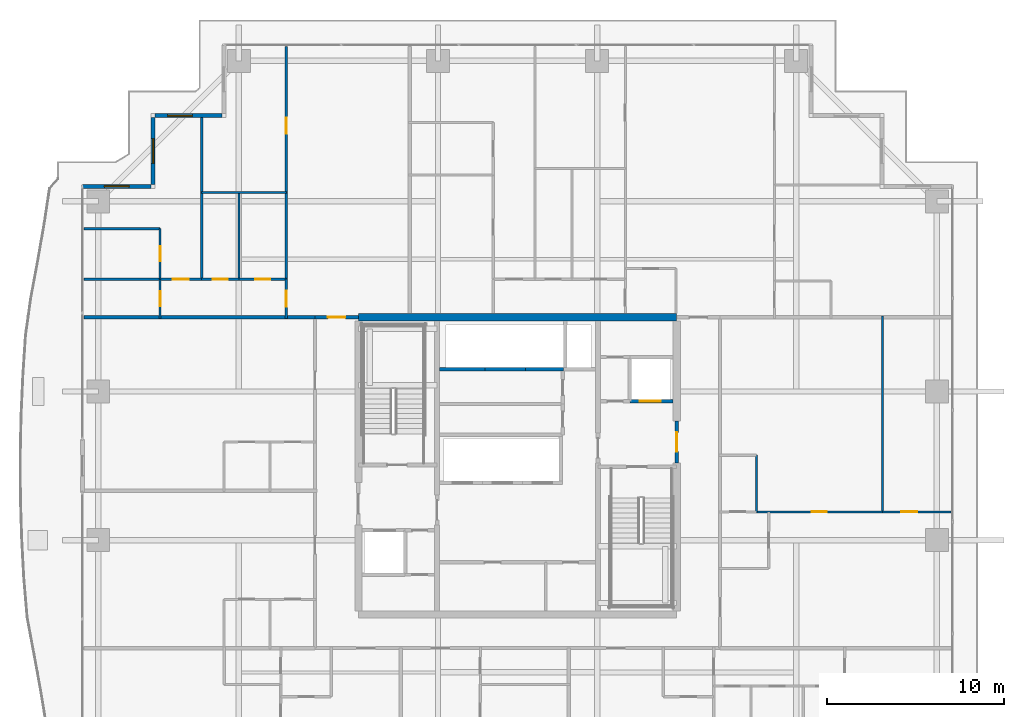
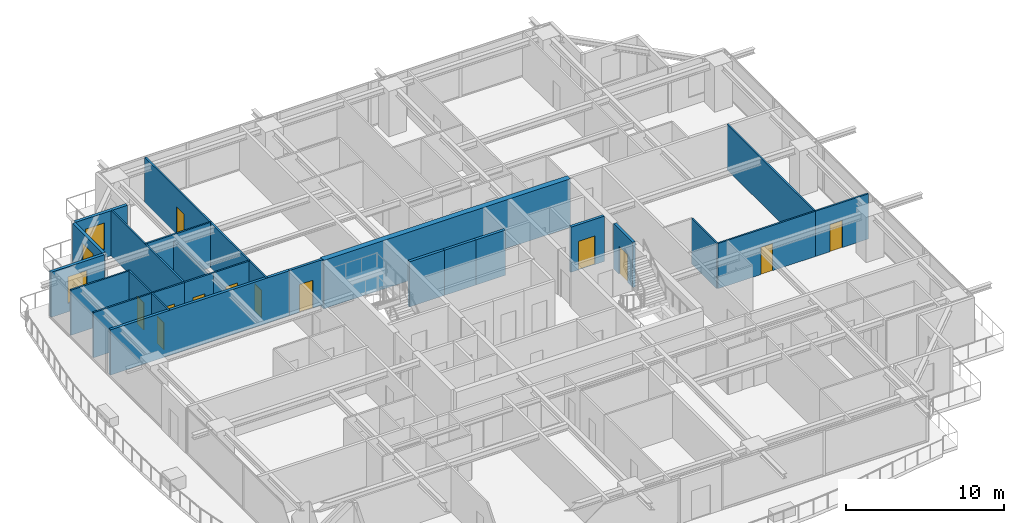
# One storey, part 27 of 35: 28 walls, 12 doors, 3 windows, 15 openings.
"""IFC4 building model written with IfcOpenShell, lengths in metres."""

from ifc_helpers import new_model, si_unit, direction, frame, frame_2d, origin, place, context, subcontext, project, spatial, rectangle, extrude, source, transform, mapped, material, layer, layer_set, type_object, element, fill, save


model = new_model("IFC4")

# Units and contexts
model_context = context("Model", 3, precision=1e-05, world=origin(), true_north=direction((0.0, 1.0)))
body_context = subcontext(model_context, "Body", "Model", "MODEL_VIEW")
ifc_project = project(units=[si_unit("LENGTHUNIT", "METRE"), si_unit("AREAUNIT", "SQUARE_METRE"), si_unit("VOLUMEUNIT", "CUBIC_METRE"), si_unit("PLANEANGLEUNIT", "RADIAN"), si_unit("MASSUNIT", "GRAM", prefix="KILO")], contexts=[model_context])

# Site, building, storey
site_placement = place(None, origin())
site = spatial("IfcSite", under=ifc_project, at=site_placement, CompositionType="ELEMENT")
building_placement = place(site_placement, origin())
building = spatial("IfcBuilding", under=site, at=building_placement, Name="Serunith Strait Residences", CompositionType="ELEMENT")
storey_placement = place(building_placement, frame((0.0, 0.0, 172.64990234375)))
storey = spatial("IfcBuildingStorey", under=building, at=storey_placement, Name="L43", CompositionType="ELEMENT", Elevation=172.64990234375)

# Wall, opening, window
ifc_material_1 = material(Name="Pale-Champagne Aluminium Insulated Panel", Category="aluminium")
ifc_layer_1 = layer(ifc_material_1, 0.219970703125, Name="Pale-Champagne Aluminium Insulated Panel")
ifc_layer_set_1 = layer_set([ifc_layer_1], Name="Pale-Champagne Aluminium Insulated Panel")
wall_type_1 = type_object("IfcWallType", Name="EW-ALUM-220", PredefinedType="ELEMENTEDWALL", material=ifc_layer_set_1)
wall_1_placement = place(storey_placement, frame((15.68994140625, 45.0, 0.0), z_axis=(0.0, 0.0, 1.0), x_axis=(-1.0, 0.0, 0.0)))
wall_1 = element("IfcWall", 1, at=wall_1_placement, inside=storey, type_object=wall_type_1, Name="L43 Girih Serrated Corner Wall 13", PredefinedType="ELEMENTEDWALL", context=body_context, shape_type="SweptSolid", body=[
    extrude(rectangle(XDim=3.780029296875, YDim=0.219970703125, at=frame_2d((1.89013671875, 0.0))), origin(), (0.0, 0.0, 1.0), 3.47509765625),
])
opening_1_placement = place(wall_1_placement, frame((1.666015625, 0.0, 0.64990234375)))
opening_1 = element("IfcOpeningElement", 2, at=opening_1_placement, cuts=wall_1, Name="Opening W-03", PredefinedType="OPENING", context=body_context, shape_type="SweptSolid", body=[
    extrude(rectangle(XDim=1.39990234375, YDim=2.050048828125, at=frame_2d((0.699951171875, 1.02490234375))), frame((0.0, 0.1201171875, 0.0), z_axis=(0.0, -1.0, 0.0), x_axis=(1.0, 0.0, 0.0)), (0.0, 0.0, 1.0), 0.239990234375),
])
ifc_material_2 = material(Name="Ceramic-Fritted Operable Aluminium Window Glass", Category="aluminium")
window_type = type_object("IfcWindowType", Name="WIN-C3", PartitioningType="SINGLE_PANEL", PredefinedType="WINDOW", material=ifc_material_2)
shared_shape_1 = source(origin(), body_context, "Body", "SweptSolid", [
    extrude(rectangle(XDim=1.39990234375, YDim=2.050048828125, at=frame_2d((0.699951171875, 1.02490234375))), frame((0.0, 0.030029296875, 0.0), z_axis=(0.0, -1.0, 0.0), x_axis=(1.0, 0.0, 0.0)), (0.0, 0.0, 1.0), 0.06005859375),
])
window_1_placement = place(opening_1_placement, origin())
window_1 = element("IfcWindow", 3, at=window_1_placement, inside=storey, type_object=window_type, Name="L43 Corner Operable Fritted Window 13", OverallHeight=2.050048828125, OverallWidth=1.39990234375, PartitioningType="SINGLE_PANEL", PredefinedType="WINDOW", context=body_context, shape_type="MappedRepresentation", body=[
    mapped(shared_shape_1, transform((0.0, 0.0, 0.0), scale=1.0)),
])
fill(opening_1, window_1)

wall_2_placement = place(storey_placement, frame((11.800048828125, 44.889892578125, 0.0), z_axis=(0.0, 0.0, 1.0), x_axis=(0.0, -1.0, 0.0)))
wall_2 = element("IfcWall", 4, at=wall_2_placement, inside=storey, type_object=wall_type_1, Name="L43 Girih Serrated Corner Wall 14", PredefinedType="ELEMENTEDWALL", context=body_context, shape_type="SweptSolid", body=[
    extrude(rectangle(XDim=3.77978515625, YDim=0.219970703125, at=frame_2d((1.889892578125, 0.0))), origin(), (0.0, 0.0, 1.0), 3.47509765625),
])
opening_2_placement = place(wall_2_placement, frame((1.18994140625, 0.0, 0.64990234375)))
opening_2 = element("IfcOpeningElement", 5, at=opening_2_placement, cuts=wall_2, Name="Opening W-03", PredefinedType="OPENING", context=body_context, shape_type="SweptSolid", body=[
    extrude(rectangle(XDim=1.39990234375, YDim=2.050048828125, at=frame_2d((0.699951171875, 1.02490234375))), frame((0.0, 0.1201171875, 0.0), z_axis=(0.0, -1.0, 0.0), x_axis=(1.0, 0.0, 0.0)), (0.0, 0.0, 1.0), 0.239990234375),
])
window_2_placement = place(opening_2_placement, origin())
window_2 = element("IfcWindow", 6, at=window_2_placement, inside=storey, type_object=window_type, Name="L43 Corner Operable Fritted Window 14", OverallHeight=2.050048828125, OverallWidth=1.39990234375, PartitioningType="SINGLE_PANEL", PredefinedType="WINDOW", context=body_context, shape_type="MappedRepresentation", body=[
    mapped(shared_shape_1, transform((0.0, 0.0, 0.0), scale=1.0)),
])
fill(opening_2, window_2)

wall_3_placement = place(storey_placement, frame((11.68994140625, 41.0, 0.0), z_axis=(0.0, 0.0, 1.0), x_axis=(-1.0, 0.0, 0.0)))
wall_3 = element("IfcWall", 7, at=wall_3_placement, inside=storey, type_object=wall_type_1, Name="L43 Girih Serrated Corner Wall 15", PredefinedType="ELEMENTEDWALL", context=body_context, shape_type="SweptSolid", body=[
    extrude(rectangle(XDim=3.889892578125, YDim=0.219970703125, at=frame_2d((1.94482421875, 0.0))), origin(), (0.0, 0.0, 1.0), 3.47509765625),
])
opening_3_placement = place(wall_3_placement, frame((1.2451171875, 0.0, 0.64990234375)))
opening_3 = element("IfcOpeningElement", 8, at=opening_3_placement, cuts=wall_3, Name="Opening W-03", PredefinedType="OPENING", context=body_context, shape_type="SweptSolid", body=[
    extrude(rectangle(XDim=1.39990234375, YDim=2.050048828125, at=frame_2d((0.699951171875, 1.02490234375))), frame((0.0, 0.1201171875, 0.0), z_axis=(0.0, -1.0, 0.0), x_axis=(1.0, 0.0, 0.0)), (0.0, 0.0, 1.0), 0.239990234375),
])
window_3_placement = place(opening_3_placement, origin())
window_3 = element("IfcWindow", 9, at=window_3_placement, inside=storey, type_object=window_type, Name="L43 Corner Operable Fritted Window 15", OverallHeight=2.050048828125, OverallWidth=1.39990234375, PartitioningType="SINGLE_PANEL", PredefinedType="WINDOW", context=body_context, shape_type="MappedRepresentation", body=[
    mapped(shared_shape_1, transform((0.0, 0.0, 0.0), scale=1.0)),
])
fill(opening_3, window_3)

# Wall, opening, door
ifc_material_3 = material(Name="Fire-rated acoustic gypsum partition")
ifc_layer_2 = layer(ifc_material_3, 0.179931640625, Name="Fire-rated acoustic gypsum partition")
ifc_layer_set_2 = layer_set([ifc_layer_2], Name="Fire-rated acoustic gypsum partition")
wall_type_2 = type_object("IfcWallType", Name="IW-CORR-180", PredefinedType="PARTITIONING", material=ifc_layer_set_2)
wall_4_placement = place(storey_placement, frame((20.951904296875, 33.60009765625, 0.0), z_axis=(0.0, 0.0, 1.0), x_axis=(1.0, 0.0, 0.0)))
wall_4 = element("IfcWall", 10, at=wall_4_placement, inside=storey, type_object=wall_type_2, Name="L43 Partition Wall 031", PredefinedType="PARTITIONING", context=body_context, shape_type="SweptSolid", body=[
    extrude(rectangle(XDim=2.446044921875, YDim=0.179931640625, at=frame_2d((1.22314453125, 0.0))), origin(), (0.0, 0.0, 1.0), 3.489990234375),
])
opening_4_placement = place(wall_4_placement, frame((0.722900390625, 0.0, 0.0)))
opening_4 = element("IfcOpeningElement", 11, at=opening_4_placement, cuts=wall_4, Name="Opening D-APT1000", PredefinedType="OPENING", context=body_context, shape_type="SweptSolid", body=[
    extrude(rectangle(XDim=1.0, YDim=2.14990234375, at=frame_2d((0.5, 1.074951171875))), frame((0.0, 0.10009765625, 0.0), z_axis=(0.0, -1.0, 0.0), x_axis=(1.0, 0.0, 0.0)), (0.0, 0.0, 1.0), 0.199951171875),
])
ifc_material_4 = material(Name="Solid timber engineered fire door", Category="wood")
door_type_1 = type_object("IfcDoorType", Name="ID-APT-1000", OperationType="NOTDEFINED", PredefinedType="DOOR", material=ifc_material_4)
shared_shape_2 = source(origin(), body_context, "Body", "SweptSolid", [
    extrude(rectangle(XDim=1.0, YDim=2.14990234375, at=frame_2d((0.5, 1.074951171875))), frame((0.0, 0.02490234375, 0.0), z_axis=(0.0, -1.0, 0.0), x_axis=(1.0, 0.0, 0.0)), (0.0, 0.0, 1.0), 0.050048828125),
])
door_1_placement = place(opening_4_placement, origin())
door_1 = element("IfcDoor", 12, at=door_1_placement, inside=storey, type_object=door_type_1, Name="L43 Unit 04 Entrance Door", OperationType="SINGLE_SWING_LEFT", OverallHeight=2.14990234375, OverallWidth=1.0, PredefinedType="DOOR", context=body_context, shape_type="MappedRepresentation", body=[
    mapped(shared_shape_2, transform((0.0, 0.0, 0.0), scale=1.0)),
])
fill(opening_4, door_1)

ifc_material_5 = material(Name="Lightweight steel-stud gypsum partition", Category="steel")
ifc_layer_3 = layer(ifc_material_5, 0.1201171875, Name="Lightweight steel-stud gypsum partition")
ifc_layer_set_3 = layer_set([ifc_layer_3], Name="Lightweight steel-stud gypsum partition")
wall_type_3 = type_object("IfcWallType", Name="IW-PART-120", PredefinedType="PARTITIONING", material=ifc_layer_set_3)
wall_5_placement = place(storey_placement, frame((19.330078125, 35.75, 0.0), z_axis=(0.0, 0.0, 1.0), x_axis=(0.0, -1.0, 0.0)))
wall_5 = element("IfcWall", 13, at=wall_5_placement, inside=storey, type_object=wall_type_3, Name="L43 Partition Wall 062", PredefinedType="PARTITIONING", context=body_context, shape_type="SweptSolid", body=[
    extrude(rectangle(XDim=2.2099609375, YDim=0.1201171875, at=frame_2d((1.10498046875, 0.0))), origin(), (0.0, 0.0, 1.0), 3.489990234375),
])
opening_5_placement = place(wall_5_placement, frame((0.655029296875, 0.0, 0.0)))
opening_5 = element("IfcOpeningElement", 14, at=opening_5_placement, cuts=wall_5, Name="Opening D-RM900", PredefinedType="OPENING", context=body_context, shape_type="SweptSolid", body=[
    extrude(rectangle(XDim=0.89990234375, YDim=2.10009765625, at=frame_2d((0.449951171875, 1.050048828125))), frame((0.0, 0.070068359375, 0.0), z_axis=(0.0, -1.0, 0.0), x_axis=(1.0, 0.0, 0.0)), (0.0, 0.0, 1.0), 0.14013671875),
])
ifc_material_6 = material(Name="Engineered timber flush bedroom door", Category="wood")
door_type_2 = type_object("IfcDoorType", Name="ID-ROOM-900", OperationType="NOTDEFINED", PredefinedType="DOOR", material=ifc_material_6)
shared_shape_3 = source(origin(), body_context, "Body", "SweptSolid", [
    extrude(rectangle(XDim=0.89990234375, YDim=2.10009765625, at=frame_2d((0.449951171875, 1.050048828125))), frame((0.0, 0.02490234375, 0.0), z_axis=(0.0, -1.0, 0.0), x_axis=(1.0, 0.0, 0.0)), (0.0, 0.0, 1.0), 0.050048828125),
])
door_2_placement = place(opening_5_placement, origin())
door_2 = element("IfcDoor", 15, at=door_2_placement, inside=storey, type_object=door_type_2, Name="L43 Hall W 4304 Door", OperationType="SINGLE_SWING_RIGHT", OverallHeight=2.10009765625, OverallWidth=0.89990234375, PredefinedType="DOOR", context=body_context, shape_type="MappedRepresentation", body=[
    mapped(shared_shape_3, transform((0.0, 0.0, 0.0), scale=1.0)),
])
fill(opening_5, door_2)

wall_6_placement = place(storey_placement, frame((19.330078125, 48.905029296875, 0.0), z_axis=(0.0, 0.0, 1.0), x_axis=(0.0, -1.0, 0.0)))
wall_6 = element("IfcWall", 16, at=wall_6_placement, inside=storey, type_object=wall_type_3, Name="L43 Partition Wall 063", PredefinedType="PARTITIONING", context=body_context, shape_type="SweptSolid", body=[
    extrude(rectangle(XDim=8.242919921875, YDim=0.1201171875, at=frame_2d((4.12158203125, 0.0))), origin(), (0.0, 0.0, 1.0), 3.489990234375),
])
opening_6_placement = place(wall_6_placement, frame((4.0390625, 0.0, 0.0)))
opening_6 = element("IfcOpeningElement", 17, at=opening_6_placement, cuts=wall_6, Name="Opening D-RM900", PredefinedType="OPENING", context=body_context, shape_type="SweptSolid", body=[
    extrude(rectangle(XDim=0.89990234375, YDim=2.10009765625, at=frame_2d((0.449951171875, 1.050048828125))), frame((0.0, 0.070068359375, 0.0), z_axis=(0.0, -1.0, 0.0), x_axis=(1.0, 0.0, 0.0)), (0.0, 0.0, 1.0), 0.14013671875),
])
door_3_placement = place(opening_6_placement, origin())
door_3 = element("IfcDoor", 18, at=door_3_placement, inside=storey, type_object=door_type_2, Name="L43 Formal Dining Room 1 4304 Door", OperationType="SINGLE_SWING_LEFT", OverallHeight=2.10009765625, OverallWidth=0.89990234375, PredefinedType="DOOR", context=body_context, shape_type="MappedRepresentation", body=[
    mapped(shared_shape_3, transform((0.0, 0.0, 0.0), scale=1.0)),
])
fill(opening_6, door_3)

# Walls
wall_7_placement = place(storey_placement, frame((19.330078125, 40.659912109375, 0.0), z_axis=(0.0, 0.0, 1.0), x_axis=(0.0, -1.0, 0.0)))
element("IfcWall", 19, at=wall_7_placement, inside=storey, type_object=wall_type_3, Name="L43 Partition Wall 064", PredefinedType="PARTITIONING", context=body_context, shape_type="SweptSolid", body=[
    extrude(rectangle(XDim=4.907958984375, YDim=0.1201171875, at=frame_2d((2.4541015625, 0.0))), origin(), (0.0, 0.0, 1.0), 3.489990234375),
])
wall_8_placement = place(storey_placement, frame((14.550048828125, 40.662109375, 0.0), z_axis=(0.0, 0.0, 1.0), x_axis=(1.0, 0.0, 0.0)))
element("IfcWall", 20, at=wall_8_placement, inside=storey, type_object=wall_type_3, Name="L43 Partition Wall 065", PredefinedType="PARTITIONING", context=body_context, shape_type="SweptSolid", body=[
    extrude(rectangle(XDim=4.780029296875, YDim=0.1201171875, at=frame_2d((2.39013671875, 0.0))), origin(), (0.0, 0.0, 1.0), 3.489990234375),
])
wall_9_placement = place(storey_placement, frame((14.550048828125, 44.905029296875, 0.0), z_axis=(0.0, 0.0, 1.0), x_axis=(0.0, -1.0, 0.0)))
element("IfcWall", 21, at=wall_9_placement, inside=storey, type_object=wall_type_3, Name="L43 Partition Wall 066", PredefinedType="PARTITIONING", context=body_context, shape_type="SweptSolid", body=[
    extrude(rectangle(XDim=9.155029296875, YDim=0.1201171875, at=frame_2d((4.57763671875, 0.0))), origin(), (0.0, 0.0, 1.0), 3.489990234375),
])
wall_10_placement = place(storey_placement, frame((16.64990234375, 40.662109375, 0.0), z_axis=(0.0, 0.0, 1.0), x_axis=(0.0, -1.0, 0.0)))
element("IfcWall", 22, at=wall_10_placement, inside=storey, type_object=wall_type_3, Name="L43 Partition Wall 067", PredefinedType="PARTITIONING", context=body_context, shape_type="SweptSolid", body=[
    extrude(rectangle(XDim=4.912109375, YDim=0.1201171875, at=frame_2d((2.4560546875, 0.0))), origin(), (0.0, 0.0, 1.0), 2.97216796875),
])

# Wall, opening, door
wall_11_placement = place(storey_placement, frame((14.550048828125, 35.75, 0.0), z_axis=(0.0, 0.0, 1.0), x_axis=(1.0, 0.0, 0.0)))
wall_11 = element("IfcWall", 23, at=wall_11_placement, inside=storey, type_object=wall_type_3, Name="L43 Partition Wall 068", PredefinedType="PARTITIONING", context=body_context, shape_type="SweptSolid", body=[
    extrude(rectangle(XDim=2.099853515625, YDim=0.1201171875, at=frame_2d((1.0498046875, 0.0))), origin(), (0.0, 0.0, 1.0), 3.489990234375),
])
opening_7_placement = place(wall_11_placement, frame((0.625, 0.0, 0.0)))
opening_7 = element("IfcOpeningElement", 24, at=opening_7_placement, cuts=wall_11, Name="Opening D-BTH850", PredefinedType="OPENING", context=body_context, shape_type="SweptSolid", body=[
    extrude(rectangle(XDim=0.85009765625, YDim=2.10009765625, at=frame_2d((0.425048828125, 1.050048828125))), frame((0.0, 0.070068359375, 0.0), z_axis=(0.0, -1.0, 0.0), x_axis=(1.0, 0.0, 0.0)), (0.0, 0.0, 1.0), 0.14013671875),
])
ifc_material_7 = material(Name="Moisture-resistant timber bathroom door", Category="wood")
door_type_3 = type_object("IfcDoorType", Name="ID-BATH-850", OperationType="NOTDEFINED", PredefinedType="DOOR", material=ifc_material_7)
shared_shape_4 = source(origin(), body_context, "Body", "SweptSolid", [
    extrude(rectangle(XDim=0.85009765625, YDim=2.10009765625, at=frame_2d((0.425048828125, 1.050048828125))), frame((0.0, 0.02490234375, 0.0), z_axis=(0.0, -1.0, 0.0), x_axis=(1.0, 0.0, 0.0)), (0.0, 0.0, 1.0), 0.050048828125),
])
door_4_placement = place(opening_7_placement, origin())
door_4 = element("IfcDoor", 25, at=door_4_placement, inside=storey, type_object=door_type_3, Name="L43 Bathroom 4304 Door", OperationType="SINGLE_SWING_RIGHT", OverallHeight=2.10009765625, OverallWidth=0.85009765625, PredefinedType="DOOR", context=body_context, shape_type="MappedRepresentation", body=[
    mapped(shared_shape_4, transform((0.0, 0.0, 0.0), scale=1.0)),
])
fill(opening_7, door_4)

wall_12_placement = place(storey_placement, frame((16.652099609375, 35.75, 0.0), z_axis=(0.0, 0.0, 1.0), x_axis=(1.0, 0.0, 0.0)))
wall_12 = element("IfcWall", 26, at=wall_12_placement, inside=storey, type_object=wall_type_3, Name="L43 Partition Wall 069", PredefinedType="PARTITIONING", context=body_context, shape_type="SweptSolid", body=[
    extrude(rectangle(XDim=2.677978515625, YDim=0.1201171875, at=frame_2d((1.3388671875, 0.0))), origin(), (0.0, 0.0, 1.0), 3.489990234375),
])
opening_8_placement = place(wall_12_placement, frame((0.9140625, 0.0, 0.0)))
opening_8 = element("IfcOpeningElement", 27, at=opening_8_placement, cuts=wall_12, Name="Opening D-RM850", PredefinedType="OPENING", context=body_context, shape_type="SweptSolid", body=[
    extrude(rectangle(XDim=0.85009765625, YDim=2.10009765625, at=frame_2d((0.425048828125, 1.050048828125))), frame((0.0, 0.070068359375, 0.0), z_axis=(0.0, -1.0, 0.0), x_axis=(1.0, 0.0, 0.0)), (0.0, 0.0, 1.0), 0.14013671875),
])
ifc_material_8 = material(Name="Engineered timber flush study and kitchen door", Category="wood")
door_type_4 = type_object("IfcDoorType", Name="ID-ROOM-850", OperationType="NOTDEFINED", PredefinedType="DOOR", material=ifc_material_8)
door_5_placement = place(opening_8_placement, origin())
door_5 = element("IfcDoor", 28, at=door_5_placement, inside=storey, type_object=door_type_4, Name="L43 Kitchen 4304 Door", OperationType="SINGLE_SWING_LEFT", OverallHeight=2.10009765625, OverallWidth=0.85009765625, PredefinedType="DOOR", context=body_context, shape_type="MappedRepresentation", body=[
    mapped(shared_shape_4, transform((0.0, 0.0, 0.0), scale=1.0)),
])
fill(opening_8, door_5)

wall_13_placement = place(storey_placement, frame((12.199951171875, 35.75, 0.0), z_axis=(0.0, 0.0, 1.0), x_axis=(1.0, 0.0, 0.0)))
wall_13 = element("IfcWall", 29, at=wall_13_placement, inside=storey, type_object=wall_type_3, Name="L43 Partition Wall 070", PredefinedType="PARTITIONING", context=body_context, shape_type="SweptSolid", body=[
    extrude(rectangle(XDim=2.34814453125, YDim=0.1201171875, at=frame_2d((1.174072265625, 0.0))), origin(), (0.0, 0.0, 1.0), 3.489990234375),
])
opening_9_placement = place(wall_13_placement, frame((0.72412109375, 0.0, 0.0)))
opening_9 = element("IfcOpeningElement", 30, at=opening_9_placement, cuts=wall_13, Name="Opening D-RM900", PredefinedType="OPENING", context=body_context, shape_type="SweptSolid", body=[
    extrude(rectangle(XDim=0.89990234375, YDim=2.10009765625, at=frame_2d((0.449951171875, 1.050048828125))), frame((0.0, 0.070068359375, 0.0), z_axis=(0.0, -1.0, 0.0), x_axis=(1.0, 0.0, 0.0)), (0.0, 0.0, 1.0), 0.14013671875),
])
door_6_placement = place(opening_9_placement, origin())
door_6 = element("IfcDoor", 31, at=door_6_placement, inside=storey, type_object=door_type_2, Name="L43 Master Bedroom W 4304 Door", OperationType="SINGLE_SWING_RIGHT", OverallHeight=2.10009765625, OverallWidth=0.89990234375, PredefinedType="DOOR", context=body_context, shape_type="MappedRepresentation", body=[
    mapped(shared_shape_3, transform((0.0, 0.0, 0.0), scale=1.0)),
])
fill(opening_9, door_6)

# Walls
wall_14_placement = place(storey_placement, frame((7.89501953125, 38.60693359375, 0.0), z_axis=(0.0, 0.0, 1.0), x_axis=(1.0, 0.0, 0.0)))
element("IfcWall", 32, at=wall_14_placement, inside=storey, type_object=wall_type_3, Name="L43 Partition Wall 071", PredefinedType="PARTITIONING", context=body_context, shape_type="SweptSolid", body=[
    extrude(rectangle(XDim=4.304931640625, YDim=0.1201171875, at=frame_2d((2.15234375, 0.0))), origin(), (0.0, 0.0, 1.0), 3.489990234375),
])
wall_15_placement = place(storey_placement, frame((7.89501953125, 35.75, 0.0), z_axis=(0.0, 0.0, 1.0), x_axis=(1.0, 0.0, 0.0)))
element("IfcWall", 33, at=wall_15_placement, inside=storey, type_object=wall_type_3, Name="L43 Partition Wall 072", PredefinedType="PARTITIONING", context=body_context, shape_type="SweptSolid", body=[
    extrude(rectangle(XDim=4.302978515625, YDim=0.1201171875, at=frame_2d((2.1513671875, 0.0))), origin(), (0.0, 0.0, 1.0), 3.489990234375),
])

# Wall, opening, door
wall_16_placement = place(storey_placement, frame((12.199951171875, 38.60693359375, 0.0), z_axis=(0.0, 0.0, 1.0), x_axis=(0.0, -1.0, 0.0)))
wall_16 = element("IfcWall", 34, at=wall_16_placement, inside=storey, type_object=wall_type_3, Name="L43 Partition Wall 073", PredefinedType="PARTITIONING", context=body_context, shape_type="SweptSolid", body=[
    extrude(rectangle(XDim=2.85693359375, YDim=0.1201171875, at=frame_2d((1.428466796875, 0.0))), origin(), (0.0, 0.0, 1.0), 3.489990234375),
])
opening_10_placement = place(wall_16_placement, frame((1.0029296875, 0.0, 0.0)))
opening_10 = element("IfcOpeningElement", 35, at=opening_10_placement, cuts=wall_16, Name="Opening D-BTH850", PredefinedType="OPENING", context=body_context, shape_type="SweptSolid", body=[
    extrude(rectangle(XDim=0.85009765625, YDim=2.10009765625, at=frame_2d((0.425048828125, 1.050048828125))), frame((0.0, 0.070068359375, 0.0), z_axis=(0.0, -1.0, 0.0), x_axis=(1.0, 0.0, 0.0)), (0.0, 0.0, 1.0), 0.14013671875),
])
door_7_placement = place(opening_10_placement, origin())
door_7 = element("IfcDoor", 36, at=door_7_placement, inside=storey, type_object=door_type_3, Name="L43 En-suite Bathroom W 4304 Door", OperationType="SINGLE_SWING_LEFT", OverallHeight=2.10009765625, OverallWidth=0.85009765625, PredefinedType="DOOR", context=body_context, shape_type="MappedRepresentation", body=[
    mapped(shared_shape_4, transform((0.0, 0.0, 0.0), scale=1.0)),
])
fill(opening_10, door_7)

wall_17_placement = place(storey_placement, frame((12.199951171875, 35.748046875, 0.0), z_axis=(0.0, 0.0, 1.0), x_axis=(0.0, -1.0, 0.0)))
wall_17 = element("IfcWall", 37, at=wall_17_placement, inside=storey, type_object=wall_type_3, Name="L43 Partition Wall 074", PredefinedType="PARTITIONING", context=body_context, shape_type="SweptSolid", body=[
    extrude(rectangle(XDim=2.2080078125, YDim=0.1201171875, at=frame_2d((1.10400390625, 0.0))), origin(), (0.0, 0.0, 1.0), 3.489990234375),
])
opening_11_placement = place(wall_17_placement, frame((0.678955078125, 0.0, 0.0)))
opening_11 = element("IfcOpeningElement", 38, at=opening_11_placement, cuts=wall_17, Name="Opening D-RM850", PredefinedType="OPENING", context=body_context, shape_type="SweptSolid", body=[
    extrude(rectangle(XDim=0.85009765625, YDim=2.10009765625, at=frame_2d((0.425048828125, 1.050048828125))), frame((0.0, 0.070068359375, 0.0), z_axis=(0.0, -1.0, 0.0), x_axis=(1.0, 0.0, 0.0)), (0.0, 0.0, 1.0), 0.14013671875),
])
door_8_placement = place(opening_11_placement, origin())
door_8 = element("IfcDoor", 39, at=door_8_placement, inside=storey, type_object=door_type_4, Name="L43 Wardrobe W 4304 Door", OperationType="SINGLE_SWING_RIGHT", OverallHeight=2.10009765625, OverallWidth=0.85009765625, PredefinedType="DOOR", context=body_context, shape_type="MappedRepresentation", body=[
    mapped(shared_shape_4, transform((0.0, 0.0, 0.0), scale=1.0)),
])
fill(opening_11, door_8)

wall_18_placement = place(storey_placement, frame((56.905029296875, 22.60009765625, 0.0), z_axis=(0.0, 0.0, 1.0), x_axis=(-1.0, 0.0, 0.0)))
wall_18 = element("IfcWall", 40, at=wall_18_placement, inside=storey, type_object=wall_type_3, Name="L43 Partition Wall 107", PredefinedType="PARTITIONING", context=body_context, shape_type="SweptSolid", body=[
    extrude(rectangle(XDim=3.879150390625, YDim=0.1201171875, at=frame_2d((1.939453125, 0.0))), origin(), (0.0, 0.0, 1.0), 3.489990234375),
])
opening_12_placement = place(wall_18_placement, frame((1.91796875, 0.0, 0.0)))
opening_12 = element("IfcOpeningElement", 41, at=opening_12_placement, cuts=wall_18, Name="Opening D-RM900", PredefinedType="OPENING", context=body_context, shape_type="SweptSolid", body=[
    extrude(rectangle(XDim=0.89990234375, YDim=2.10009765625, at=frame_2d((0.449951171875, 1.050048828125))), frame((0.0, 0.070068359375, 0.0), z_axis=(0.0, -1.0, 0.0), x_axis=(1.0, 0.0, 0.0)), (0.0, 0.0, 1.0), 0.14013671875),
])
door_9_placement = place(opening_12_placement, origin())
door_9 = element("IfcDoor", 42, at=door_9_placement, inside=storey, type_object=door_type_2, Name="L43 Master Bedroom 1 4308 Door", OperationType="SINGLE_SWING_LEFT", OverallHeight=2.10009765625, OverallWidth=0.89990234375, PredefinedType="DOOR", context=body_context, shape_type="MappedRepresentation", body=[
    mapped(shared_shape_3, transform((0.0, 0.0, 0.0), scale=1.0)),
])
fill(opening_12, door_9)

# Walls
wall_19_placement = place(storey_placement, frame((53.02587890625, 22.60009765625, 0.0), z_axis=(0.0, 0.0, 1.0), x_axis=(0.0, 1.0, 0.0)))
element("IfcWall", 43, at=wall_19_placement, inside=storey, type_object=wall_type_3, Name="L43 Partition Wall 108", PredefinedType="PARTITIONING", context=body_context, shape_type="SweptSolid", body=[
    extrude(rectangle(XDim=11.059814453125, YDim=0.1201171875, at=frame_2d((5.52978515625, 0.0))), origin(), (0.0, 0.0, 1.0), 3.489990234375),
])
wall_20_placement = place(storey_placement, frame((45.89990234375, 22.60009765625, 0.0), z_axis=(0.0, 0.0, 1.0), x_axis=(0.0, 1.0, 0.0)))
element("IfcWall", 44, at=wall_20_placement, inside=storey, type_object=wall_type_3, Name="L43 Partition Wall 109", PredefinedType="PARTITIONING", context=body_context, shape_type="SweptSolid", body=[
    extrude(rectangle(XDim=3.199951171875, YDim=0.1201171875, at=frame_2d((1.60009765625, 0.0))), origin(), (0.0, 0.0, 1.0), 3.489990234375),
])

# Wall, opening, door
wall_21_placement = place(storey_placement, frame((53.02392578125, 22.60009765625, 0.0), z_axis=(0.0, 0.0, 1.0), x_axis=(-1.0, 0.0, 0.0)))
wall_21 = element("IfcWall", 45, at=wall_21_placement, inside=storey, type_object=wall_type_3, Name="L43 Partition Wall 111", PredefinedType="PARTITIONING", context=body_context, shape_type="SweptSolid", body=[
    extrude(rectangle(XDim=7.1240234375, YDim=0.1201171875, at=frame_2d((3.56201171875, 0.0))), origin(), (0.0, 0.0, 1.0), 3.489990234375),
])
opening_13_placement = place(wall_21_placement, frame((3.136962890625, 0.0, 0.0)))
opening_13 = element("IfcOpeningElement", 46, at=opening_13_placement, cuts=wall_21, Name="Opening D-RM850", PredefinedType="OPENING", context=body_context, shape_type="SweptSolid", body=[
    extrude(rectangle(XDim=0.85009765625, YDim=2.10009765625, at=frame_2d((0.425048828125, 1.050048828125))), frame((0.0, 0.070068359375, 0.0), z_axis=(0.0, -1.0, 0.0), x_axis=(1.0, 0.0, 0.0)), (0.0, 0.0, 1.0), 0.14013671875),
])
door_10_placement = place(opening_13_placement, origin())
door_10 = element("IfcDoor", 47, at=door_10_placement, inside=storey, type_object=door_type_4, Name="L43 Walk-in Wardrobe 4308 Door", OperationType="SINGLE_SWING_RIGHT", OverallHeight=2.10009765625, OverallWidth=0.85009765625, PredefinedType="DOOR", context=body_context, shape_type="MappedRepresentation", body=[
    mapped(shared_shape_4, transform((0.0, 0.0, 0.0), scale=1.0)),
])
fill(opening_13, door_10)

# Wall
ifc_material_9 = material(Name="Twin-stud acoustic gypsum board partition")
ifc_layer_4 = layer(ifc_material_9, 0.199951171875, Name="Twin-stud acoustic gypsum board partition")
ifc_layer_set_4 = layer_set([ifc_layer_4], Name="Twin-stud acoustic gypsum board partition")
wall_type_4 = type_object("IfcWallType", Name="IW-PARTY-200", PredefinedType="PARTITIONING", material=ifc_layer_set_4)
wall_22_placement = place(storey_placement, frame((7.882080078125, 33.60009765625, 0.0), z_axis=(0.0, 0.0, 1.0), x_axis=(1.0, 0.0, 0.0)))
element("IfcWall", 48, at=wall_22_placement, inside=storey, type_object=wall_type_4, Name="L43 Partition Wall 026", PredefinedType="PARTITIONING", context=body_context, shape_type="SweptSolid", body=[
    extrude(rectangle(XDim=13.06787109375, YDim=0.199951171875, at=frame_2d((6.533935546875, 0.0))), origin(), (0.0, 0.0, 1.0), 3.489990234375),
])

# Wall, opening, door
ifc_material_10 = material(Name="Autoclaved aerated concrete blockwork", Category="masonry")
ifc_layer_5 = layer(ifc_material_10, 0.199951171875, Name="Autoclaved aerated concrete blockwork")
ifc_layer_set_5 = layer_set([ifc_layer_5], Name="Autoclaved aerated concrete blockwork")
wall_type_5 = type_object("IfcWallType", Name="IW-SHAFT-200", PredefinedType="STANDARD", material=ifc_layer_set_5)
wall_23_placement = place(storey_placement, frame((38.75, 28.85009765625, 0.0), z_axis=(0.0, 0.0, 1.0), x_axis=(1.0, 0.0, 0.0)))
wall_23 = element("IfcWall", 49, at=wall_23_placement, inside=storey, type_object=wall_type_5, Name="L43 FL-2 South Shaft Wall", PredefinedType="STANDARD", context=body_context, shape_type="SweptSolid", body=[
    extrude(rectangle(XDim=2.449951171875, YDim=0.199951171875, at=frame_2d((1.22509765625, 0.0))), origin(), (0.0, 0.0, 1.0), 3.489990234375),
])
opening_14_placement = place(wall_23_placement, frame((0.550048828125, 0.0, 0.0)))
opening_14 = element("IfcOpeningElement", 50, at=opening_14_placement, cuts=wall_23, Name="Opening LD-FF1200", PredefinedType="OPENING", context=body_context, shape_type="SweptSolid", body=[
    extrude(rectangle(XDim=1.199951171875, YDim=2.199951171875, at=frame_2d((0.60009765625, 1.10009765625))), frame((0.0, 0.10986328125, 0.0), z_axis=(0.0, -1.0, 0.0), x_axis=(1.0, 0.0, 0.0)), (0.0, 0.0, 1.0), 0.219970703125),
])
ifc_material_11 = material(Name="Brushed stainless steel landing door", Category="steel")
door_type_5 = type_object("IfcDoorType", Name="LD-FF-1200", OperationType="DOUBLE_DOOR_SLIDING", PredefinedType="DOOR", material=ifc_material_11)
shared_shape_5 = source(origin(), body_context, "Body", "SweptSolid", [
    extrude(rectangle(XDim=1.199951171875, YDim=2.199951171875, at=frame_2d((0.60009765625, 1.10009765625))), frame((0.0, 0.02490234375, 0.0), z_axis=(0.0, -1.0, 0.0), x_axis=(1.0, 0.0, 0.0)), (0.0, 0.0, 1.0), 0.050048828125),
])
door_11_placement = place(opening_14_placement, origin())
door_11 = element("IfcDoor", 51, at=door_11_placement, inside=storey, type_object=door_type_5, Name="L43 FL-2 Landing Door", OperationType="DOUBLE_DOOR_SLIDING", OverallHeight=2.199951171875, OverallWidth=1.199951171875, PredefinedType="DOOR", context=body_context, shape_type="MappedRepresentation", body=[
    mapped(shared_shape_5, transform((0.0, 0.0, 0.0), scale=1.0)),
])
fill(opening_14, door_11)

# Walls
wall_24_placement = place(storey_placement, frame((28.0, 30.64990234375, 0.0), z_axis=(0.0, 0.0, 1.0), x_axis=(1.0, 0.0, 0.0)))
element("IfcWall", 52, at=wall_24_placement, inside=storey, type_object=wall_type_5, Name="L43 PL-7 South Shaft Wall", PredefinedType="STANDARD", context=body_context, shape_type="SweptSolid", body=[
    extrude(rectangle(XDim=2.550048828125, YDim=0.199951171875, at=frame_2d((1.27490234375, 0.0))), origin(), (0.0, 0.0, 1.0), 3.489990234375),
])
wall_25_placement = place(storey_placement, frame((30.550048828125, 30.64990234375, 0.0), z_axis=(0.0, 0.0, 1.0), x_axis=(1.0, 0.0, 0.0)))
element("IfcWall", 53, at=wall_25_placement, inside=storey, type_object=wall_type_5, Name="L43 PL-8 South Shaft Wall", PredefinedType="STANDARD", context=body_context, shape_type="SweptSolid", body=[
    extrude(rectangle(XDim=2.300048828125, YDim=0.199951171875, at=frame_2d((1.14990234375, 0.0))), origin(), (0.0, 0.0, 1.0), 3.489990234375),
])
wall_26_placement = place(storey_placement, frame((32.85009765625, 30.64990234375, 0.0), z_axis=(0.0, 0.0, 1.0), x_axis=(1.0, 0.0, 0.0)))
element("IfcWall", 54, at=wall_26_placement, inside=storey, type_object=wall_type_5, Name="L43 PL-9 South Shaft Wall", PredefinedType="STANDARD", context=body_context, shape_type="SweptSolid", body=[
    extrude(rectangle(XDim=2.14990234375, YDim=0.199951171875, at=frame_2d((1.074951171875, 0.0))), origin(), (0.0, 0.0, 1.0), 3.489990234375),
])

# Wall, opening, door
wall_27_placement = place(storey_placement, frame((41.39990234375, 25.35205078125, 0.0), z_axis=(0.0, 0.0, 1.0), x_axis=(0.0, 1.0, 0.0)))
wall_27 = element("IfcWall", 55, at=wall_27_placement, inside=storey, type_object=wall_type_5, Name="L43 Partition Wall 008", PredefinedType="STANDARD", context=body_context, shape_type="SweptSolid", body=[
    extrude(rectangle(XDim=2.39599609375, YDim=0.199951171875, at=frame_2d((1.197998046875, 0.0))), origin(), (0.0, 0.0, 1.0), 3.489990234375),
])
opening_15_placement = place(wall_27_placement, frame((0.64794921875, 0.0, 0.0)))
opening_15 = element("IfcOpeningElement", 56, at=opening_15_placement, cuts=wall_27, Name="Opening FD-FFL", PredefinedType="OPENING", context=body_context, shape_type="SweptSolid", body=[
    extrude(rectangle(XDim=1.10009765625, YDim=2.14990234375, at=frame_2d((0.550048828125, 1.074951171875))), frame((0.0, 0.10986328125, 0.0), z_axis=(0.0, -1.0, 0.0), x_axis=(1.0, 0.0, 0.0)), (0.0, 0.0, 1.0), 0.219970703125),
])
ifc_material_12 = material(Name="Glazed steel smoke-lobby fire door", Category="steel")
door_type_6 = type_object("IfcDoorType", Name="FD-FFL-1100", OperationType="NOTDEFINED", PredefinedType="DOOR", material=ifc_material_12)
shared_shape_6 = source(origin(), body_context, "Body", "SweptSolid", [
    extrude(rectangle(XDim=1.10009765625, YDim=2.14990234375, at=frame_2d((0.550048828125, 1.074951171875))), frame((0.0, 0.02490234375, 0.0), z_axis=(0.0, -1.0, 0.0), x_axis=(1.0, 0.0, 0.0)), (0.0, 0.0, 1.0), 0.050048828125),
])
door_12_placement = place(opening_15_placement, origin())
door_12 = element("IfcDoor", 57, at=door_12_placement, inside=storey, type_object=door_type_6, Name="L43 FFL-2 Corridor Fire Door", OperationType="SINGLE_SWING_RIGHT", OverallHeight=2.14990234375, OverallWidth=1.10009765625, PredefinedType="DOOR", context=body_context, shape_type="MappedRepresentation", body=[
    mapped(shared_shape_6, transform((0.0, 0.0, 0.0), scale=1.0)),
])
fill(opening_15, door_12)

# Wall
ifc_material_13 = material(Name="Concrete C70/85", Category="concrete")
ifc_layer_6 = layer(ifc_material_13, 0.39990234375, Name="Concrete C70/85")
ifc_layer_set_6 = layer_set([ifc_layer_6], Name="Concrete C70/85")
wall_type_6 = type_object("IfcWallType", Name="SW-400-C70", PredefinedType="SHEAR", material=ifc_layer_set_6)
wall_28_placement = place(storey_placement, frame((41.39990234375, 33.60009765625, -0.260009765625), z_axis=(0.0, 0.0, 1.0), x_axis=(-1.0, 0.0, 0.0)))
element("IfcWall", 58, at=wall_28_placement, inside=storey, type_object=wall_type_6, Name="L43 Core North Shear Wall", PredefinedType="SHEAR", context=body_context, shape_type="SweptSolid", body=[
    extrude(rectangle(XDim=18.0, YDim=0.39990234375, at=frame_2d((9.0, 0.0))), origin(), (0.0, 0.0, 1.0), 3.748046875),
])

save(model, "model.ifc")
